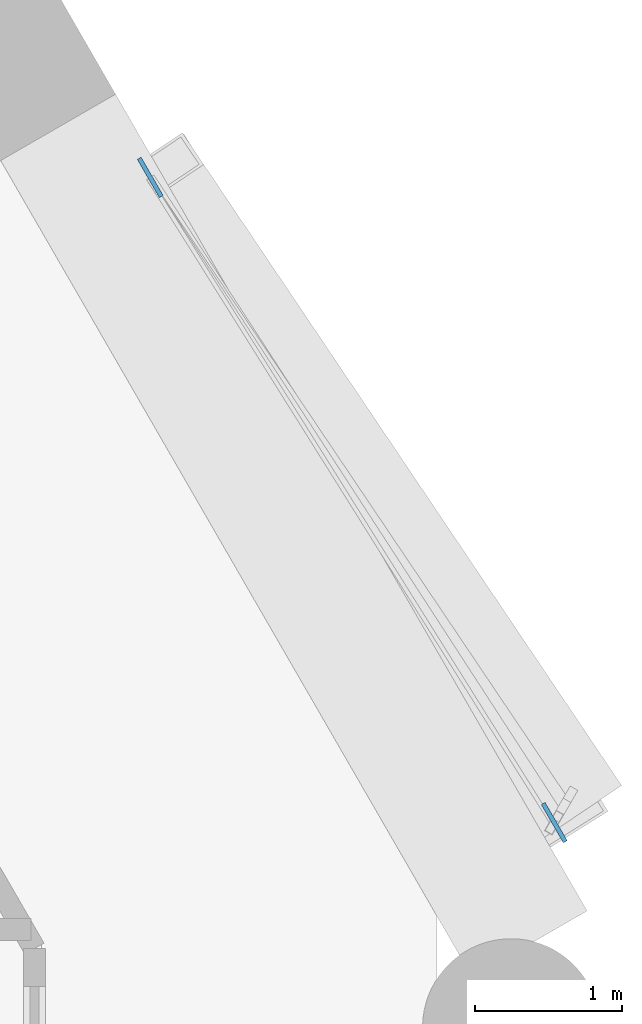
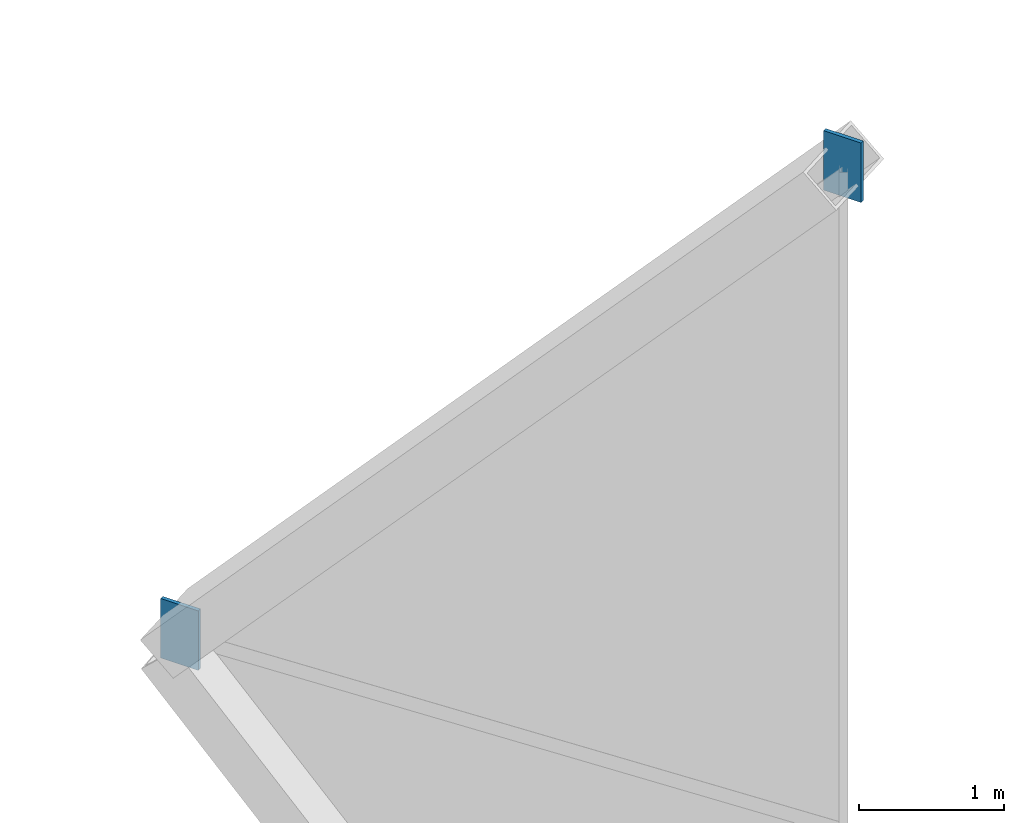
# One storey, part 37 of 38: 2 discrete accessories.
"""IFC4 building model written with IfcOpenShell, lengths in metres."""

from ifc_helpers import new_model, si_unit, direction, frame, origin, origin_2d, place, context, subcontext, project, spatial, rectangle, extrude, material, layer, layer_set, type_object, element, save


model = new_model("IFC4")

# Units and contexts
model_context = context("Model", 3, precision=1e-05, world=origin(), true_north=direction((0.0, 1.0)))
body_context = subcontext(model_context, "Body", "Model", "MODEL_VIEW")
ifc_project = project(units=[si_unit("LENGTHUNIT", "METRE"), si_unit("AREAUNIT", "SQUARE_METRE"), si_unit("VOLUMEUNIT", "CUBIC_METRE"), si_unit("PLANEANGLEUNIT", "RADIAN"), si_unit("MASSUNIT", "GRAM", prefix="KILO")], contexts=[model_context])

# Site, building, storey
site_placement = place(None, origin())
site = spatial("IfcSite", under=ifc_project, at=site_placement, CompositionType="ELEMENT")
building_placement = place(site_placement, origin())
building = spatial("IfcBuilding", under=site, at=building_placement, Name="Ostrander Bayou Hotel Tower", CompositionType="ELEMENT")
storey_placement = place(building_placement, frame((0.0, 0.0, 96.75)))
storey = spatial("IfcBuildingStorey", under=building, at=storey_placement, Name="L24", CompositionType="ELEMENT", Elevation=96.75)

# Discrete accessories
ifc_material = material(Name="Steel ASTM A572 Gr 50", Category="steel")
ifc_layer = layer(ifc_material, 0.030029296875)
ifc_layer_set = layer_set([ifc_layer], Name="GP1 gusset plate 30 mm")
discrete_accessory_type = type_object("IfcDiscreteAccessoryType", Name="GP1 gusset plate 30 mm", PredefinedType="BRACKET", material=ifc_layer_set)
for number, where, z_axis, x_axis, name in (
    (1, (19.927001953125, 5.600830078125, 4.77490234375), (0.0, 0.0, 1.0), (-0.5, 0.866025403784, 0.0), "GP1 gusset plate lat 150"),
    (2, (22.66748046875, 1.22412109375, 10.39990234375), (0.0, 0.0, 1.0), (-0.5, 0.866025403784, 0.0), "GP1 gusset plate lat 151"),
):
    element("IfcDiscreteAccessory", number, at=place(storey_placement, frame(where, z_axis=z_axis, x_axis=x_axis)), inside=storey, type_object=discrete_accessory_type, Name=name, PredefinedType="BRACKET", context=body_context, shape_type="SweptSolid", body=[
        extrude(rectangle(XDim=0.300048828125, YDim=0.030029296875, at=origin_2d()), origin(), (0.0, 0.0, 1.0), 0.5),
    ])

save(model, "model.ifc")
